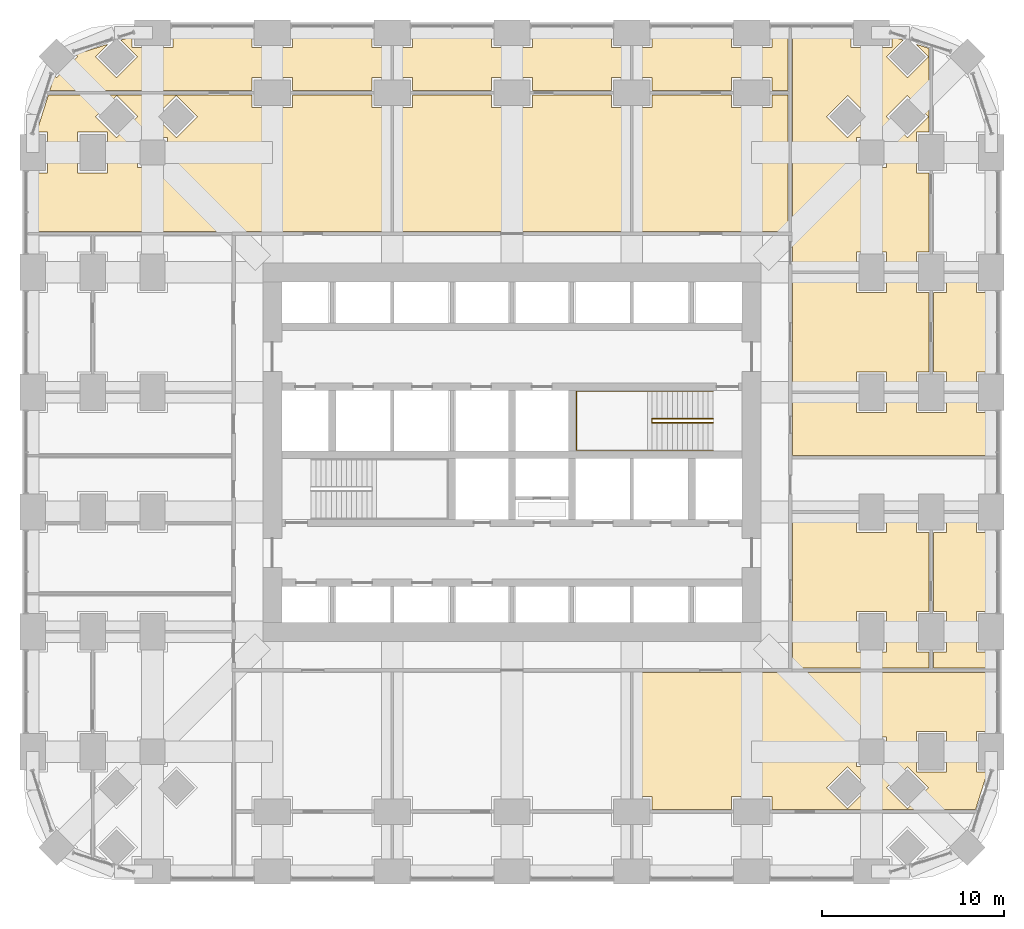
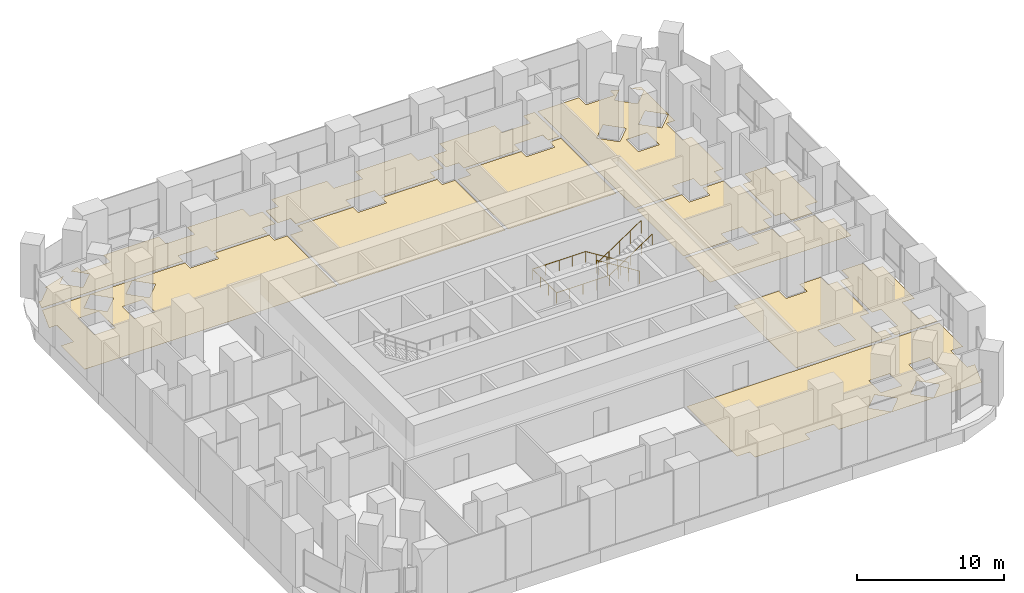
# One storey, part 16 of 17: 13 coverings, 2 railings.
"""IFC4 building model written with IfcOpenShell, lengths in metres."""

from ifc_helpers import new_model, si_unit, direction, frame, origin, place, context, subcontext, project, spatial, polyline, outline, extrude, material, layer, layer_set, type_object, element, save


model = new_model("IFC4")

# Units and contexts
model_context = context("Model", 3, precision=1e-05, world=origin(), true_north=direction((0.0, 1.0)))
body_context = subcontext(model_context, "Body", "Model", "MODEL_VIEW")
ifc_project = project(units=[si_unit("LENGTHUNIT", "METRE"), si_unit("AREAUNIT", "SQUARE_METRE"), si_unit("VOLUMEUNIT", "CUBIC_METRE"), si_unit("PLANEANGLEUNIT", "RADIAN"), si_unit("MASSUNIT", "GRAM", prefix="KILO")], contexts=[model_context])

# Site, building, storey
site_placement = place(None, origin())
site = spatial("IfcSite", under=ifc_project, at=site_placement, CompositionType="ELEMENT")
building_placement = place(site_placement, origin())
building = spatial("IfcBuilding", under=site, at=building_placement, Name="Cobogo Forest Laboratory Tower", CompositionType="ELEMENT")
storey_placement = place(building_placement, frame((0.0, 0.0, 12.60009765625)))
storey = spatial("IfcBuildingStorey", under=building, at=storey_placement, Name="L02", CompositionType="ELEMENT", Elevation=12.60009765625)

# Coverings
ifc_material_1 = material(Name="Carpet tile on raised access floor", Category="flooring")
ifc_layer_1 = layer(ifc_material_1, 0.008056640625)
ifc_layer_set_1 = layer_set([ifc_layer_1], Name="CT1 carpet tile floor 8")
covering_type_1 = type_object("IfcCoveringType", Name="CT1 carpet tile floor 8", PredefinedType="FLOORING", material=ifc_layer_set_1)
covering_1_placement = place(storey_placement, origin())
element("IfcCovering", 1, at=covering_1_placement, inside=storey, type_object=covering_type_1, Name="Carpet floor L02-07", PredefinedType="FLOORING", context=body_context, shape_type="SweptSolid", body=[
    extrude(outline(polyline([(41.844970703125, 19.679931640625), (45.3798828125, 19.679931640625), (45.3798828125, 18.679931640625), (47.02001953125, 18.679931640625), (47.02001953125, 19.679931640625), (48.679931640625, 19.679931640625), (48.679931640625, 18.679931640625), (49.3798828125, 18.679931640625), (49.3798828125, 14.320068359375), (48.679931640625, 14.320068359375), (48.679931640625, 12.080078125), (49.3798828125, 12.080078125), (49.3798828125, 11.195068359375), (41.844970703125, 11.195068359375), (41.844970703125, 19.679931640625)]), holes=[polyline([(45.3798828125, 12.080078125), (47.02001953125, 12.080078125), (47.02001953125, 14.320068359375), (45.3798828125, 14.320068359375), (45.3798828125, 12.080078125)])]), origin(), (0.0, 0.0, 1.0), 0.0078125),
])
covering_2_placement = place(storey_placement, origin())
element("IfcCovering", 2, at=covering_2_placement, inside=storey, type_object=covering_type_1, Name="Carpet floor L02-08", PredefinedType="FLOORING", context=body_context, shape_type="SweptSolid", body=[
    extrude(outline(polyline([(49.6201171875, 12.080078125), (50.320068359375, 12.080078125), (50.320068359375, 14.320068359375), (49.6201171875, 14.320068359375), (49.6201171875, 18.679931640625), (50.320068359375, 18.679931640625), (50.320068359375, 19.679931640625), (51.97998046875, 19.679931640625), (51.97998046875, 18.679931640625), (52.949951171875, 18.679931640625), (52.949951171875, 14.320068359375), (51.97998046875, 14.320068359375), (51.97998046875, 12.080078125), (52.949951171875, 12.080078125), (52.949951171875, 11.195068359375), (49.6201171875, 11.195068359375), (49.6201171875, 12.080078125)])), origin(), (0.0, 0.0, 1.0), 0.0078125),
])
covering_3_placement = place(storey_placement, origin())
element("IfcCovering", 3, at=covering_3_placement, inside=storey, type_object=covering_type_1, Name="Carpet floor L02-12", PredefinedType="FLOORING", context=body_context, shape_type="SweptSolid", body=[
    extrude(outline(polyline([(49.6201171875, 31.8798828125), (50.320068359375, 31.8798828125), (50.320068359375, 32.8798828125), (51.97998046875, 32.8798828125), (51.97998046875, 31.8798828125), (52.949951171875, 31.8798828125), (52.949951171875, 27.52001953125), (51.97998046875, 27.52001953125), (51.97998046875, 26.52001953125), (50.320068359375, 26.52001953125), (50.320068359375, 27.52001953125), (49.6201171875, 27.52001953125), (49.6201171875, 31.8798828125)])), origin(), (0.0, 0.0, 1.0), 0.0078125),
])
covering_4_placement = place(storey_placement, origin())
element("IfcCovering", 4, at=covering_4_placement, inside=storey, type_object=covering_type_1, Name="Carpet floor L02-16", PredefinedType="FLOORING", context=body_context, shape_type="SweptSolid", body=[
    extrude(outline(polyline([(14.320068359375, 43.02001953125), (14.320068359375, 43.719970703125), (12.080078125, 43.719970703125), (12.080078125, 43.02001953125), (0.939697265625, 43.02001953125), (1.19921875, 43.84130859375), (1.318115234375, 43.722412109375), (2.477783203125, 44.882080078125), (2.358642578125, 45.0009765625), (4.1396484375, 45.563232421875), (3.458251953125, 44.882080078125), (4.617919921875, 43.722412109375), (5.777587890625, 44.882080078125), (4.86669921875, 45.79296875), (5.47998046875, 45.986572265625), (5.47998046875, 45.3798828125), (7.719970703125, 45.3798828125), (7.719970703125, 46.35009765625), (12.080078125, 46.35009765625), (12.080078125, 45.3798828125), (14.320068359375, 45.3798828125), (14.320068359375, 46.35009765625), (18.679931640625, 46.35009765625), (18.679931640625, 45.3798828125), (19.679931640625, 45.3798828125), (19.679931640625, 43.719970703125), (18.679931640625, 43.719970703125), (18.679931640625, 43.02001953125), (14.320068359375, 43.02001953125)])), origin(), (0.0, 0.0, 1.0), 0.0078125),
])
covering_5_placement = place(storey_placement, origin())
element("IfcCovering", 5, at=covering_5_placement, inside=storey, type_object=covering_type_1, Name="Carpet floor L02-18", PredefinedType="FLOORING", context=body_context, shape_type="SweptSolid", body=[
    extrude(outline(polyline([(27.52001953125, 43.02001953125), (27.52001953125, 43.719970703125), (25.280029296875, 43.719970703125), (25.280029296875, 43.02001953125), (20.919921875, 43.02001953125), (20.919921875, 43.719970703125), (19.919921875, 43.719970703125), (19.919921875, 45.3798828125), (20.919921875, 45.3798828125), (20.919921875, 46.35009765625), (25.280029296875, 46.35009765625), (25.280029296875, 45.3798828125), (27.52001953125, 45.3798828125), (27.52001953125, 46.35009765625), (31.8798828125, 46.35009765625), (31.8798828125, 45.3798828125), (32.8798828125, 45.3798828125), (32.8798828125, 43.719970703125), (31.8798828125, 43.719970703125), (31.8798828125, 43.02001953125), (27.52001953125, 43.02001953125)])), origin(), (0.0, 0.0, 1.0), 0.0078125),
])
covering_6_placement = place(storey_placement, origin())
element("IfcCovering", 6, at=covering_6_placement, inside=storey, type_object=covering_type_1, Name="Carpet floor L02-19", PredefinedType="FLOORING", context=body_context, shape_type="SweptSolid", body=[
    extrude(outline(polyline([(33.1201171875, 42.080078125), (34.1201171875, 42.080078125), (34.1201171875, 42.780029296875), (38.47998046875, 42.780029296875), (38.47998046875, 42.080078125), (40.719970703125, 42.080078125), (40.719970703125, 42.780029296875), (41.60498046875, 42.780029296875), (41.60498046875, 35.2451171875), (33.1201171875, 35.2451171875), (33.1201171875, 42.080078125)])), origin(), (0.0, 0.0, 1.0), 0.0078125),
])
covering_7_placement = place(storey_placement, origin())
element("IfcCovering", 7, at=covering_7_placement, inside=storey, type_object=covering_type_1, Name="Carpet floor L02-20", PredefinedType="FLOORING", context=body_context, shape_type="SweptSolid", body=[
    extrude(outline(polyline([(40.719970703125, 43.02001953125), (40.719970703125, 43.719970703125), (38.47998046875, 43.719970703125), (38.47998046875, 43.02001953125), (34.1201171875, 43.02001953125), (34.1201171875, 43.719970703125), (33.1201171875, 43.719970703125), (33.1201171875, 45.3798828125), (34.1201171875, 45.3798828125), (34.1201171875, 46.35009765625), (38.47998046875, 46.35009765625), (38.47998046875, 45.3798828125), (40.719970703125, 45.3798828125), (40.719970703125, 46.35009765625), (41.60498046875, 46.35009765625), (41.60498046875, 43.02001953125), (40.719970703125, 43.02001953125)])), origin(), (0.0, 0.0, 1.0), 0.0078125),
])

# Railings
ifc_material_2 = material(Name="Steel balustrade", Category="steel")
railing_type_1 = type_object("IfcRailingType", Name="GR stair guard 1100", PredefinedType="GUARDRAIL", material=ifc_material_2)
railing_1_placement = place(storey_placement, frame((37.47509765625, 24.929931640625, 0.173095703125)))
element("IfcRailing", 8, at=railing_1_placement, inside=storey, type_object=railing_type_1, Name="Stair guard ST2 L02", PredefinedType="GUARDRAIL", context=body_context, shape_type="SweptSolid", body=[
    extrude(outline(polyline([(0.022216796875, 0.00927734375), (0.00927734375, 0.022216796875), (-0.00927734375, 0.022216796875), (-0.022216796875, 0.00927734375), (-0.022216796875, -0.00927734375), (-0.00927734375, -0.022216796875), (0.00927734375, -0.022216796875), (0.022216796875, -0.00927734375), (0.022216796875, 0.00927734375)])), frame((0.0, 0.0, 1.077880859375), z_axis=(-0.850623216509, 0.0, 0.525775754039), x_axis=(0.0, -1.0, 0.0)), (0.0, 0.0, 1.0), 3.9501953125),
    extrude(outline(polyline([(0.022216796875, 0.00927734375), (0.00927734375, 0.022216796875), (-0.00927734375, 0.022216796875), (-0.022216796875, 0.00927734375), (-0.022216796875, -0.00927734375), (-0.00927734375, -0.022216796875), (0.00927734375, -0.022216796875), (0.022216796875, -0.00927734375), (0.022216796875, 0.00927734375)])), frame((-3.360107421875, 0.0, 3.15478515625), z_axis=(0.0, -1.0, 0.0), x_axis=(1.0, 0.0, 0.0)), (0.0, 0.0, 1.0), 0.2099609375),
    extrude(outline(polyline([(0.022216796875, 0.00927734375), (0.00927734375, 0.022216796875), (-0.00927734375, 0.022216796875), (-0.022216796875, 0.00927734375), (-0.022216796875, -0.00927734375), (-0.00927734375, -0.022216796875), (0.00927734375, -0.022216796875), (0.022216796875, -0.00927734375), (0.022216796875, 0.00927734375)])), frame((-3.360107421875, -0.2099609375, 3.15478515625), z_axis=(0.830915400975, 0.0, 0.556398774641), x_axis=(0.0, 1.0, 0.0)), (0.0, 0.0, 1.0), 4.0439453125),
    extrude(outline(polyline([(0.019287109375, 0.008056640625), (0.008056640625, 0.019287109375), (-0.008056640625, 0.019287109375), (-0.019287109375, 0.008056640625), (-0.019287109375, -0.008056640625), (-0.008056640625, -0.019287109375), (0.008056640625, -0.019287109375), (0.019287109375, -0.008056640625), (0.019287109375, 0.008056640625)])), origin(), (0.0, 0.0, 1.0), 1.077880859375),
    extrude(outline(polyline([(0.019287109375, 0.008056640625), (0.008056640625, 0.019287109375), (-0.008056640625, 0.019287109375), (-0.019287109375, 0.008056640625), (-0.019287109375, -0.008056640625), (-0.008056640625, -0.019287109375), (0.008056640625, -0.019287109375), (0.019287109375, -0.008056640625), (0.019287109375, 0.008056640625)])), frame((-0.840087890625, 0.0, 0.519287109375)), (0.0, 0.0, 1.0), 1.077880859375),
    extrude(outline(polyline([(0.019287109375, 0.008056640625), (0.008056640625, 0.019287109375), (-0.008056640625, 0.019287109375), (-0.019287109375, 0.008056640625), (-0.019287109375, -0.008056640625), (-0.008056640625, -0.019287109375), (0.008056640625, -0.019287109375), (0.019287109375, -0.008056640625), (0.019287109375, 0.008056640625)])), frame((-1.68017578125, 0.0, 1.03857421875)), (0.0, 0.0, 1.0), 1.077880859375),
    extrude(outline(polyline([(0.019287109375, 0.008056640625), (0.008056640625, 0.019287109375), (-0.008056640625, 0.019287109375), (-0.019287109375, 0.008056640625), (-0.019287109375, -0.008056640625), (-0.008056640625, -0.019287109375), (0.008056640625, -0.019287109375), (0.019287109375, -0.008056640625), (0.019287109375, 0.008056640625)])), frame((-2.52001953125, 0.0, 1.5576171875)), (0.0, 0.0, 1.0), 1.077880859375),
    extrude(outline(polyline([(0.019287109375, 0.008056640625), (0.008056640625, 0.019287109375), (-0.008056640625, 0.019287109375), (-0.019287109375, 0.008056640625), (-0.019287109375, -0.008056640625), (-0.008056640625, -0.019287109375), (0.008056640625, -0.019287109375), (0.019287109375, -0.008056640625), (0.019287109375, 0.008056640625)])), frame((-3.360107421875, 0.0, 2.076904296875)), (0.0, 0.0, 1.0), 1.077880859375),
    extrude(outline(polyline([(0.019287109375, 0.008056640625), (0.008056640625, 0.019287109375), (-0.008056640625, 0.019287109375), (-0.019287109375, 0.008056640625), (-0.019287109375, -0.008056640625), (-0.008056640625, -0.019287109375), (0.008056640625, -0.019287109375), (0.019287109375, -0.008056640625), (0.019287109375, 0.008056640625)])), frame((-3.360107421875, -0.2099609375, 2.076904296875)), (0.0, 0.0, 1.0), 1.077880859375),
    extrude(outline(polyline([(0.019287109375, 0.008056640625), (0.008056640625, 0.019287109375), (-0.008056640625, 0.019287109375), (-0.019287109375, 0.008056640625), (-0.019287109375, -0.008056640625), (-0.008056640625, -0.019287109375), (0.008056640625, -0.019287109375), (0.019287109375, -0.008056640625), (0.019287109375, 0.008056640625)])), frame((-2.52001953125, -0.2099609375, 2.639404296875)), (0.0, 0.0, 1.0), 1.077880859375),
    extrude(outline(polyline([(0.019287109375, 0.008056640625), (0.008056640625, 0.019287109375), (-0.008056640625, 0.019287109375), (-0.019287109375, 0.008056640625), (-0.019287109375, -0.008056640625), (-0.008056640625, -0.019287109375), (0.008056640625, -0.019287109375), (0.019287109375, -0.008056640625), (0.019287109375, 0.008056640625)])), frame((-1.68017578125, -0.2099609375, 3.201904296875)), (0.0, 0.0, 1.0), 1.077880859375),
    extrude(outline(polyline([(0.019287109375, 0.008056640625), (0.008056640625, 0.019287109375), (-0.008056640625, 0.019287109375), (-0.019287109375, 0.008056640625), (-0.019287109375, -0.008056640625), (-0.008056640625, -0.019287109375), (0.008056640625, -0.019287109375), (0.019287109375, -0.008056640625), (0.019287109375, 0.008056640625)])), frame((-0.840087890625, -0.2099609375, 3.764404296875)), (0.0, 0.0, 1.0), 1.077880859375),
    extrude(outline(polyline([(0.019287109375, 0.008056640625), (0.008056640625, 0.019287109375), (-0.008056640625, 0.019287109375), (-0.019287109375, 0.008056640625), (-0.019287109375, -0.008056640625), (-0.008056640625, -0.019287109375), (0.008056640625, -0.019287109375), (0.019287109375, -0.008056640625), (0.019287109375, 0.008056640625)])), frame((0.0, -0.2099609375, 4.326904296875)), (0.0, 0.0, 1.0), 1.077880859375),
])
ifc_material_3 = material(Name="Stainless steel handrail", Category="steel")
railing_type_2 = type_object("IfcRailingType", Name="HR handrail 900", PredefinedType="HANDRAIL", material=ifc_material_3)
railing_2_placement = place(storey_placement, frame((37.47509765625, 26.449951171875, 0.173095703125)))
element("IfcRailing", 9, at=railing_2_placement, inside=storey, type_object=railing_type_2, Name="Stair handrail ST2 L02", PredefinedType="HANDRAIL", context=body_context, shape_type="SweptSolid", body=[
    extrude(outline(polyline([(0.022216796875, 0.00927734375), (0.00927734375, 0.022216796875), (-0.00927734375, 0.022216796875), (-0.022216796875, 0.00927734375), (-0.022216796875, -0.00927734375), (-0.00927734375, -0.022216796875), (0.00927734375, -0.022216796875), (0.022216796875, -0.00927734375), (0.022216796875, 0.00927734375)])), frame((0.0, 0.0, 0.877685546875), z_axis=(-0.850623216509, 0.0, 0.525775754039), x_axis=(0.0, -1.0, 0.0)), (0.0, 0.0, 1.0), 3.9501953125),
    extrude(outline(polyline([(0.022216796875, 0.00927734375), (0.00927734375, 0.022216796875), (-0.00927734375, 0.022216796875), (-0.022216796875, 0.00927734375), (-0.022216796875, -0.00927734375), (-0.00927734375, -0.022216796875), (0.00927734375, -0.022216796875), (0.022216796875, -0.00927734375), (0.022216796875, 0.00927734375)])), frame((-3.360107421875, 0.0, 2.95458984375), z_axis=(-1.0, 0.0, 0.0), x_axis=(0.0, -1.0, 0.0)), (0.0, 0.0, 1.0), 4.1650390625),
    extrude(outline(polyline([(0.022216796875, 0.00927734375), (0.00927734375, 0.022216796875), (-0.00927734375, 0.022216796875), (-0.022216796875, 0.00927734375), (-0.022216796875, -0.00927734375), (-0.00927734375, -0.022216796875), (0.00927734375, -0.022216796875), (0.022216796875, -0.00927734375), (0.022216796875, 0.00927734375)])), frame((-7.525146484375, 0.0, 2.95458984375), z_axis=(0.0, -1.0, 0.0), x_axis=(1.0, 0.0, 0.0)), (0.0, 0.0, 1.0), 3.25),
    extrude(outline(polyline([(0.022216796875, 0.00927734375), (0.00927734375, 0.022216796875), (-0.00927734375, 0.022216796875), (-0.022216796875, 0.00927734375), (-0.022216796875, -0.00927734375), (-0.00927734375, -0.022216796875), (0.00927734375, -0.022216796875), (0.022216796875, -0.00927734375), (0.022216796875, 0.00927734375)])), frame((-7.525146484375, -3.25, 2.95458984375), z_axis=(1.0, 0.0, 0.0), x_axis=(0.0, 1.0, 0.0)), (0.0, 0.0, 1.0), 4.1650390625),
    extrude(outline(polyline([(0.022216796875, 0.00927734375), (0.00927734375, 0.022216796875), (-0.00927734375, 0.022216796875), (-0.022216796875, 0.00927734375), (-0.022216796875, -0.00927734375), (-0.00927734375, -0.022216796875), (0.00927734375, -0.022216796875), (0.022216796875, -0.00927734375), (0.022216796875, 0.00927734375)])), frame((-3.360107421875, -3.25, 2.95458984375), z_axis=(0.830915400975, 0.0, 0.556398774641), x_axis=(0.0, 1.0, 0.0)), (0.0, 0.0, 1.0), 4.0439453125),
    extrude(outline(polyline([(0.019287109375, 0.008056640625), (0.008056640625, 0.019287109375), (-0.008056640625, 0.019287109375), (-0.019287109375, 0.008056640625), (-0.019287109375, -0.008056640625), (-0.008056640625, -0.019287109375), (0.008056640625, -0.019287109375), (0.019287109375, -0.008056640625), (0.019287109375, 0.008056640625)])), origin(), (0.0, 0.0, 1.0), 0.877685546875),
    extrude(outline(polyline([(0.019287109375, 0.008056640625), (0.008056640625, 0.019287109375), (-0.008056640625, 0.019287109375), (-0.019287109375, 0.008056640625), (-0.019287109375, -0.008056640625), (-0.008056640625, -0.019287109375), (0.008056640625, -0.019287109375), (0.019287109375, -0.008056640625), (0.019287109375, 0.008056640625)])), frame((-0.840087890625, 0.0, 0.519287109375)), (0.0, 0.0, 1.0), 0.877685546875),
    extrude(outline(polyline([(0.019287109375, 0.008056640625), (0.008056640625, 0.019287109375), (-0.008056640625, 0.019287109375), (-0.019287109375, 0.008056640625), (-0.019287109375, -0.008056640625), (-0.008056640625, -0.019287109375), (0.008056640625, -0.019287109375), (0.019287109375, -0.008056640625), (0.019287109375, 0.008056640625)])), frame((-1.68017578125, 0.0, 1.03857421875)), (0.0, 0.0, 1.0), 0.877685546875),
    extrude(outline(polyline([(0.019287109375, 0.008056640625), (0.008056640625, 0.019287109375), (-0.008056640625, 0.019287109375), (-0.019287109375, 0.008056640625), (-0.019287109375, -0.008056640625), (-0.008056640625, -0.019287109375), (0.008056640625, -0.019287109375), (0.019287109375, -0.008056640625), (0.019287109375, 0.008056640625)])), frame((-2.52001953125, 0.0, 1.5576171875)), (0.0, 0.0, 1.0), 0.877685546875),
    extrude(outline(polyline([(0.019287109375, 0.008056640625), (0.008056640625, 0.019287109375), (-0.008056640625, 0.019287109375), (-0.019287109375, 0.008056640625), (-0.019287109375, -0.008056640625), (-0.008056640625, -0.019287109375), (0.008056640625, -0.019287109375), (0.019287109375, -0.008056640625), (0.019287109375, 0.008056640625)])), frame((-3.360107421875, 0.0, 2.076904296875)), (0.0, 0.0, 1.0), 0.877685546875),
    extrude(outline(polyline([(0.019287109375, 0.008056640625), (0.008056640625, 0.019287109375), (-0.008056640625, 0.019287109375), (-0.019287109375, 0.008056640625), (-0.019287109375, -0.008056640625), (-0.008056640625, -0.019287109375), (0.008056640625, -0.019287109375), (0.019287109375, -0.008056640625), (0.019287109375, 0.008056640625)])), frame((-4.4013671875, 0.0, 2.076904296875)), (0.0, 0.0, 1.0), 0.877685546875),
    extrude(outline(polyline([(0.019287109375, 0.008056640625), (0.008056640625, 0.019287109375), (-0.008056640625, 0.019287109375), (-0.019287109375, 0.008056640625), (-0.019287109375, -0.008056640625), (-0.008056640625, -0.019287109375), (0.008056640625, -0.019287109375), (0.019287109375, -0.008056640625), (0.019287109375, 0.008056640625)])), frame((-5.442626953125, 0.0, 2.076904296875)), (0.0, 0.0, 1.0), 0.877685546875),
    extrude(outline(polyline([(0.019287109375, 0.008056640625), (0.008056640625, 0.019287109375), (-0.008056640625, 0.019287109375), (-0.019287109375, 0.008056640625), (-0.019287109375, -0.008056640625), (-0.008056640625, -0.019287109375), (0.008056640625, -0.019287109375), (0.019287109375, -0.008056640625), (0.019287109375, 0.008056640625)])), frame((-6.48388671875, 0.0, 2.076904296875)), (0.0, 0.0, 1.0), 0.877685546875),
    extrude(outline(polyline([(0.019287109375, 0.008056640625), (0.008056640625, 0.019287109375), (-0.008056640625, 0.019287109375), (-0.019287109375, 0.008056640625), (-0.019287109375, -0.008056640625), (-0.008056640625, -0.019287109375), (0.008056640625, -0.019287109375), (0.019287109375, -0.008056640625), (0.019287109375, 0.008056640625)])), frame((-7.525146484375, 0.0, 2.076904296875)), (0.0, 0.0, 1.0), 0.877685546875),
    extrude(outline(polyline([(0.019287109375, 0.008056640625), (0.008056640625, 0.019287109375), (-0.008056640625, 0.019287109375), (-0.019287109375, 0.008056640625), (-0.019287109375, -0.008056640625), (-0.008056640625, -0.019287109375), (0.008056640625, -0.019287109375), (0.019287109375, -0.008056640625), (0.019287109375, 0.008056640625)])), frame((-7.525146484375, -1.083251953125, 2.076904296875)), (0.0, 0.0, 1.0), 0.877685546875),
    extrude(outline(polyline([(0.019287109375, 0.008056640625), (0.008056640625, 0.019287109375), (-0.008056640625, 0.019287109375), (-0.019287109375, 0.008056640625), (-0.019287109375, -0.008056640625), (-0.008056640625, -0.019287109375), (0.008056640625, -0.019287109375), (0.019287109375, -0.008056640625), (0.019287109375, 0.008056640625)])), frame((-7.525146484375, -2.166748046875, 2.076904296875)), (0.0, 0.0, 1.0), 0.877685546875),
    extrude(outline(polyline([(0.019287109375, 0.008056640625), (0.008056640625, 0.019287109375), (-0.008056640625, 0.019287109375), (-0.019287109375, 0.008056640625), (-0.019287109375, -0.008056640625), (-0.008056640625, -0.019287109375), (0.008056640625, -0.019287109375), (0.019287109375, -0.008056640625), (0.019287109375, 0.008056640625)])), frame((-7.525146484375, -3.25, 2.076904296875)), (0.0, 0.0, 1.0), 0.877685546875),
    extrude(outline(polyline([(0.019287109375, 0.008056640625), (0.008056640625, 0.019287109375), (-0.008056640625, 0.019287109375), (-0.019287109375, 0.008056640625), (-0.019287109375, -0.008056640625), (-0.008056640625, -0.019287109375), (0.008056640625, -0.019287109375), (0.019287109375, -0.008056640625), (0.019287109375, 0.008056640625)])), frame((-6.48388671875, -3.25, 2.076904296875)), (0.0, 0.0, 1.0), 0.877685546875),
    extrude(outline(polyline([(0.019287109375, 0.008056640625), (0.008056640625, 0.019287109375), (-0.008056640625, 0.019287109375), (-0.019287109375, 0.008056640625), (-0.019287109375, -0.008056640625), (-0.008056640625, -0.019287109375), (0.008056640625, -0.019287109375), (0.019287109375, -0.008056640625), (0.019287109375, 0.008056640625)])), frame((-5.442626953125, -3.25, 2.076904296875)), (0.0, 0.0, 1.0), 0.877685546875),
    extrude(outline(polyline([(0.019287109375, 0.008056640625), (0.008056640625, 0.019287109375), (-0.008056640625, 0.019287109375), (-0.019287109375, 0.008056640625), (-0.019287109375, -0.008056640625), (-0.008056640625, -0.019287109375), (0.008056640625, -0.019287109375), (0.019287109375, -0.008056640625), (0.019287109375, 0.008056640625)])), frame((-4.4013671875, -3.25, 2.076904296875)), (0.0, 0.0, 1.0), 0.877685546875),
    extrude(outline(polyline([(0.019287109375, 0.008056640625), (0.008056640625, 0.019287109375), (-0.008056640625, 0.019287109375), (-0.019287109375, 0.008056640625), (-0.019287109375, -0.008056640625), (-0.008056640625, -0.019287109375), (0.008056640625, -0.019287109375), (0.019287109375, -0.008056640625), (0.019287109375, 0.008056640625)])), frame((-3.360107421875, -3.25, 2.076904296875)), (0.0, 0.0, 1.0), 0.877685546875),
    extrude(outline(polyline([(0.019287109375, 0.008056640625), (0.008056640625, 0.019287109375), (-0.008056640625, 0.019287109375), (-0.019287109375, 0.008056640625), (-0.019287109375, -0.008056640625), (-0.008056640625, -0.019287109375), (0.008056640625, -0.019287109375), (0.019287109375, -0.008056640625), (0.019287109375, 0.008056640625)])), frame((-2.52001953125, -3.25, 2.639404296875)), (0.0, 0.0, 1.0), 0.877685546875),
    extrude(outline(polyline([(0.019287109375, 0.008056640625), (0.008056640625, 0.019287109375), (-0.008056640625, 0.019287109375), (-0.019287109375, 0.008056640625), (-0.019287109375, -0.008056640625), (-0.008056640625, -0.019287109375), (0.008056640625, -0.019287109375), (0.019287109375, -0.008056640625), (0.019287109375, 0.008056640625)])), frame((-1.68017578125, -3.25, 3.201904296875)), (0.0, 0.0, 1.0), 0.877685546875),
    extrude(outline(polyline([(0.019287109375, 0.008056640625), (0.008056640625, 0.019287109375), (-0.008056640625, 0.019287109375), (-0.019287109375, 0.008056640625), (-0.019287109375, -0.008056640625), (-0.008056640625, -0.019287109375), (0.008056640625, -0.019287109375), (0.019287109375, -0.008056640625), (0.019287109375, 0.008056640625)])), frame((-0.840087890625, -3.25, 3.764404296875)), (0.0, 0.0, 1.0), 0.877685546875),
    extrude(outline(polyline([(0.019287109375, 0.008056640625), (0.008056640625, 0.019287109375), (-0.008056640625, 0.019287109375), (-0.019287109375, 0.008056640625), (-0.019287109375, -0.008056640625), (-0.008056640625, -0.019287109375), (0.008056640625, -0.019287109375), (0.019287109375, -0.008056640625), (0.019287109375, 0.008056640625)])), frame((0.0, -3.25, 4.326904296875)), (0.0, 0.0, 1.0), 0.877685546875),
])

# Coverings
ifc_material_4 = material(Name="Epoxy resin flooring", Category="flooring")
ifc_layer_2 = layer(ifc_material_4, 0.00390625)
ifc_layer_set_2 = layer_set([ifc_layer_2], Name="LF1 epoxy laboratory floor 4")
covering_type_2 = type_object("IfcCoveringType", Name="LF1 epoxy laboratory floor 4", PredefinedType="FLOORING", material=ifc_layer_set_2)
covering_8_placement = place(storey_placement, origin())
element("IfcCovering", 10, at=covering_8_placement, inside=storey, type_object=covering_type_2, Name="Epoxy laboratory floor L02-05", PredefinedType="FLOORING", context=body_context, shape_type="SweptSolid", body=[
    extrude(outline(polyline([(33.1201171875, 10.955078125), (52.949951171875, 10.955078125), (52.949951171875, 7.719970703125), (51.97998046875, 7.719970703125), (51.97998046875, 5.47998046875), (52.586669921875, 5.47998046875), (51.93603515625, 3.419921875), (40.719970703125, 3.419921875), (40.719970703125, 4.1201171875), (38.47998046875, 4.1201171875), (38.47998046875, 3.419921875), (34.1201171875, 3.419921875), (34.1201171875, 4.1201171875), (33.1201171875, 4.1201171875), (33.1201171875, 10.955078125)]), holes=[polyline([(48.679931640625, 5.47998046875), (50.320068359375, 5.47998046875), (50.320068359375, 7.719970703125), (48.679931640625, 7.719970703125), (48.679931640625, 5.47998046875)]), polyline([(48.181884765625, 5.777587890625), (47.022216796875, 4.617919921875), (48.181884765625, 3.458251953125), (49.341552734375, 4.617919921875), (48.181884765625, 5.777587890625)]), polyline([(45.3798828125, 7.419921875), (45.3798828125, 5.780029296875), (47.02001953125, 5.780029296875), (47.02001953125, 7.419921875), (45.3798828125, 7.419921875)]), polyline([(44.882080078125, 5.777587890625), (43.722412109375, 4.617919921875), (44.882080078125, 3.458251953125), (46.041748046875, 4.617919921875), (44.882080078125, 5.777587890625)])]), origin(), (0.0, 0.0, 1.0), 0.00390625),
])
covering_9_placement = place(storey_placement, origin())
element("IfcCovering", 11, at=covering_9_placement, inside=storey, type_object=covering_type_2, Name="Epoxy laboratory floor L02-11", PredefinedType="FLOORING", context=body_context, shape_type="SweptSolid", body=[
    extrude(outline(polyline([(41.844970703125, 32.8798828125), (45.3798828125, 32.8798828125), (45.3798828125, 31.8798828125), (47.02001953125, 31.8798828125), (47.02001953125, 32.8798828125), (48.679931640625, 32.8798828125), (48.679931640625, 31.8798828125), (49.3798828125, 31.8798828125), (49.3798828125, 27.52001953125), (48.679931640625, 27.52001953125), (48.679931640625, 26.52001953125), (47.02001953125, 26.52001953125), (47.02001953125, 27.52001953125), (45.3798828125, 27.52001953125), (45.3798828125, 26.52001953125), (41.844970703125, 26.52001953125), (41.844970703125, 32.8798828125)])), origin(), (0.0, 0.0, 1.0), 0.00390625),
])
covering_10_placement = place(storey_placement, origin())
element("IfcCovering", 12, at=covering_10_placement, inside=storey, type_object=covering_type_2, Name="Epoxy laboratory floor L02-13", PredefinedType="FLOORING", context=body_context, shape_type="SweptSolid", body=[
    extrude(outline(polyline([(47.02001953125, 33.1201171875), (47.02001953125, 34.1201171875), (45.3798828125, 34.1201171875), (45.3798828125, 33.1201171875), (41.844970703125, 33.1201171875), (41.844970703125, 46.35009765625), (45.080078125, 46.35009765625), (45.080078125, 45.3798828125), (47.320068359375, 45.3798828125), (47.320068359375, 45.986572265625), (47.933349609375, 45.79296875), (47.022216796875, 44.882080078125), (48.181884765625, 43.722412109375), (49.341552734375, 44.882080078125), (48.660400390625, 45.563232421875), (49.3798828125, 45.3359375), (49.3798828125, 40.719970703125), (48.679931640625, 40.719970703125), (48.679931640625, 38.47998046875), (49.3798828125, 38.47998046875), (49.3798828125, 34.1201171875), (48.679931640625, 34.1201171875), (48.679931640625, 33.1201171875), (47.02001953125, 33.1201171875)]), holes=[polyline([(47.022216796875, 41.58203125), (48.181884765625, 40.42236328125), (49.341552734375, 41.58203125), (48.181884765625, 42.74169921875), (47.022216796875, 41.58203125)]), polyline([(47.02001953125, 40.419921875), (45.3798828125, 40.419921875), (45.3798828125, 38.780029296875), (47.02001953125, 38.780029296875), (47.02001953125, 40.419921875)]), polyline([(43.722412109375, 41.58203125), (44.882080078125, 40.42236328125), (46.041748046875, 41.58203125), (44.882080078125, 42.74169921875), (43.722412109375, 41.58203125)])]), origin(), (0.0, 0.0, 1.0), 0.00390625),
])
covering_11_placement = place(storey_placement, origin())
element("IfcCovering", 13, at=covering_11_placement, inside=storey, type_object=covering_type_2, Name="Epoxy laboratory floor L02-15", PredefinedType="FLOORING", context=body_context, shape_type="SweptSolid", body=[
    extrude(outline(polyline([(19.679931640625, 35.2451171875), (-0.14990234375, 35.2451171875), (-0.14990234375, 38.47998046875), (0.820068359375, 38.47998046875), (0.820068359375, 40.719970703125), (0.21337890625, 40.719970703125), (0.864013671875, 42.780029296875), (12.080078125, 42.780029296875), (12.080078125, 42.080078125), (14.320068359375, 42.080078125), (14.320068359375, 42.780029296875), (18.679931640625, 42.780029296875), (18.679931640625, 42.080078125), (19.679931640625, 42.080078125), (19.679931640625, 35.2451171875)]), holes=[polyline([(6.75830078125, 41.58203125), (7.91796875, 40.42236328125), (9.07763671875, 41.58203125), (7.91796875, 42.74169921875), (6.75830078125, 41.58203125)]), polyline([(5.780029296875, 40.419921875), (5.780029296875, 38.780029296875), (7.419921875, 38.780029296875), (7.419921875, 40.419921875), (5.780029296875, 40.419921875)]), polyline([(3.458251953125, 41.58203125), (4.617919921875, 40.42236328125), (5.777587890625, 41.58203125), (4.617919921875, 42.74169921875), (3.458251953125, 41.58203125)]), polyline([(2.47998046875, 38.47998046875), (4.1201171875, 38.47998046875), (4.1201171875, 40.719970703125), (2.47998046875, 40.719970703125), (2.47998046875, 38.47998046875)])]), origin(), (0.0, 0.0, 1.0), 0.00390625),
])
covering_12_placement = place(storey_placement, origin())
element("IfcCovering", 14, at=covering_12_placement, inside=storey, type_object=covering_type_2, Name="Epoxy laboratory floor L02-17", PredefinedType="FLOORING", context=body_context, shape_type="SweptSolid", body=[
    extrude(outline(polyline([(19.919921875, 42.080078125), (20.919921875, 42.080078125), (20.919921875, 42.780029296875), (25.280029296875, 42.780029296875), (25.280029296875, 42.080078125), (27.52001953125, 42.080078125), (27.52001953125, 42.780029296875), (31.8798828125, 42.780029296875), (31.8798828125, 42.080078125), (32.8798828125, 42.080078125), (32.8798828125, 35.2451171875), (19.919921875, 35.2451171875), (19.919921875, 42.080078125)])), origin(), (0.0, 0.0, 1.0), 0.00390625),
])
ifc_material_5 = material(Name="Static-dissipative vinyl flooring", Category="flooring")
ifc_layer_3 = layer(ifc_material_5, 0.0029296875)
ifc_layer_set_3 = layer_set([ifc_layer_3], Name="SD1 static-dissipative vinyl floor 3")
covering_type_3 = type_object("IfcCoveringType", Name="SD1 static-dissipative vinyl floor 3", PredefinedType="FLOORING", material=ifc_layer_set_3)
covering_13_placement = place(storey_placement, origin())
element("IfcCovering", 15, at=covering_13_placement, inside=storey, type_object=covering_type_3, Name="Static-dissipative floor L02-10", PredefinedType="FLOORING", context=body_context, shape_type="SweptSolid", body=[
    extrude(outline(polyline([(41.844970703125, 26.280029296875), (45.3798828125, 26.280029296875), (45.3798828125, 25.280029296875), (47.02001953125, 25.280029296875), (47.02001953125, 26.280029296875), (48.679931640625, 26.280029296875), (48.679931640625, 25.280029296875), (50.320068359375, 25.280029296875), (50.320068359375, 26.280029296875), (51.97998046875, 26.280029296875), (51.97998046875, 25.280029296875), (52.949951171875, 25.280029296875), (52.949951171875, 22.919921875), (41.844970703125, 22.919921875), (41.844970703125, 26.280029296875)])), origin(), (0.0, 0.0, 1.0), 0.0029296875),
])

save(model, "model.ifc")
